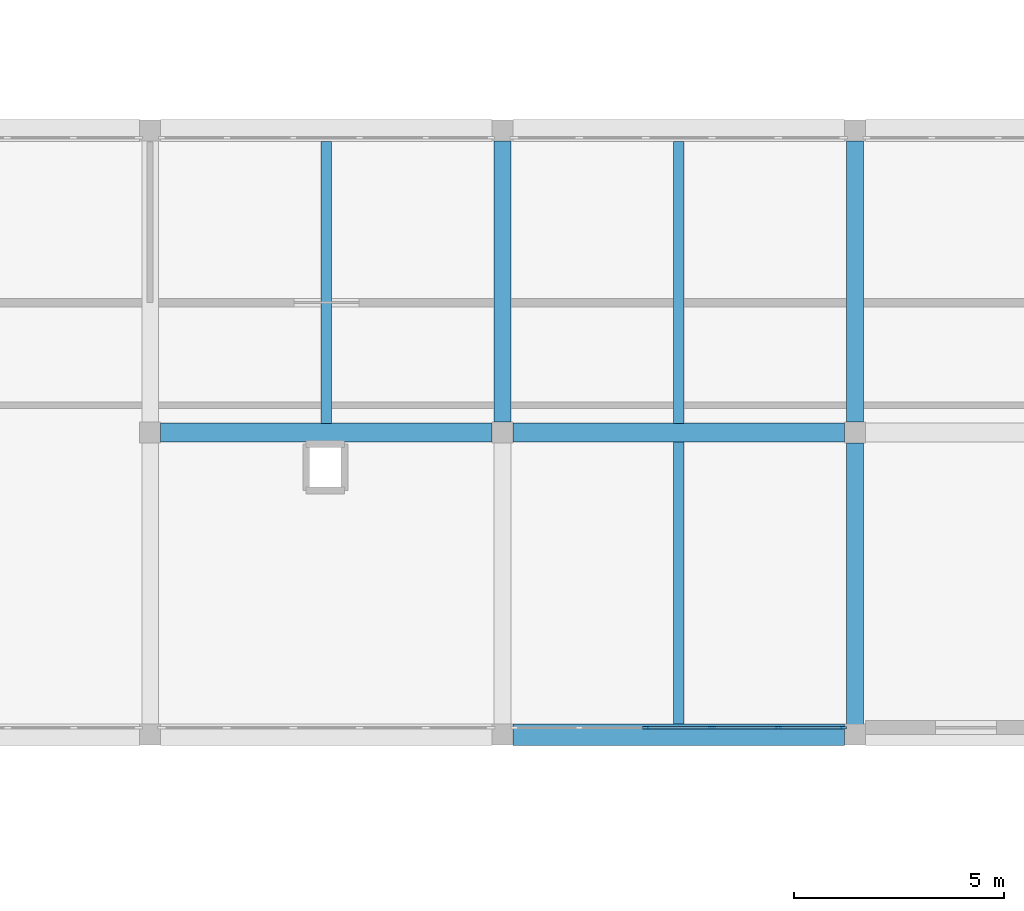
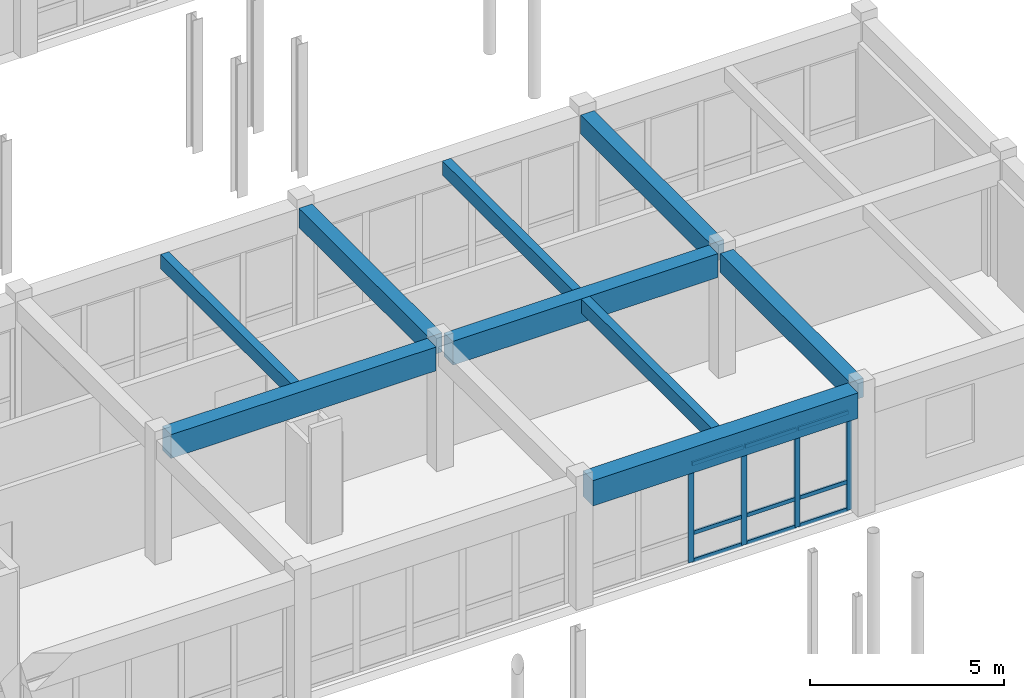
# One storey, part 52 of 147: 13 members, 9 beams, 1 element without a shape of its own.
"""IFC4 building model written with IfcOpenShell, lengths in metres."""

import ifcopenshell
import ifcopenshell.guid

model = None  # the IFC model being written
_history = None  # IfcOwnerHistory: only IFC2X3 demands one
_inside = {}  # id of a spatial element -> (the spatial element, [elements in it])
_under = {}  # id of a project, library or spatial element -> (it, [spatial elements below it])
_declared = {}  # id of a project -> (the project, [libraries it declares])
_typed = {}  # id of a type object -> (the type object, [elements of that type])
_made_of = {}  # id of a material, layer set ... -> (it, [elements and type objects made of it])


def new_model(schema):
    """Start an empty IFC model of exactly this schema.

    Asked for "IFC4X3", IfcOpenShell would pick the latest addendum, in which some entities
    have other attributes; the version numbers below select the first issue.
    IFC2X3 requires an IfcOwnerHistory on every rooted entity: one is made here for all.
    """
    global model, _history
    if schema == "IFC4X3":
        model = ifcopenshell.file(schema_version=(4, 3, 0, 0))
    else:
        model = ifcopenshell.file(schema=schema)
    _inside.clear()
    _under.clear()
    _declared.clear()
    _typed.clear()
    _made_of.clear()
    _history = None
    if model.schema == "IFC2X3":
        org = make("IfcOrganization", Name="unknown")
        user = make(
            "IfcPersonAndOrganization",
            ThePerson=make("IfcPerson", FamilyName="unknown"),
            TheOrganization=org,
        )
        app = make(
            "IfcApplication",
            ApplicationDeveloper=org,
            Version="unknown",
            ApplicationFullName="unknown",
            ApplicationIdentifier="unknown",
        )
        _history = make(
            "IfcOwnerHistory",
            OwningUser=user,
            OwningApplication=app,
            ChangeAction="ADDED",
            CreationDate=0,
        )
    return model


def make(cls, **values):
    """One entity of the class cls with the attributes given. An attribute that is None is left unset."""
    return model.create_entity(
        cls, **{name: value for name, value in values.items() if value is not None}
    )


def rooted(cls, **values):
    """An entity with a GlobalId (a new one), such as an element, a storey or a relation."""
    return make(cls, GlobalId=ifcopenshell.guid.new(), OwnerHistory=_history, **values)


def si_unit(unit_type, name, prefix=None):
    """IfcSIUnit, for example si_unit("LENGTHUNIT", "METRE", prefix="MILLI")."""
    return make("IfcSIUnit", UnitType=unit_type, Prefix=prefix, Name=name)


def assignment(units):
    """IfcUnitAssignment: the units of a project."""
    return None if units is None else make("IfcUnitAssignment", Units=units)


def point(xyz):
    """IfcCartesianPoint."""
    return None if xyz is None else make("IfcCartesianPoint", Coordinates=xyz)


def direction(xyz):
    """IfcDirection."""
    return None if xyz is None else make("IfcDirection", DirectionRatios=xyz)


def frame(location, z_axis=None, x_axis=None):
    """IfcAxis2Placement3D, a coordinate frame: its origin and axes. An axis left out is left unset."""
    return make(
        "IfcAxis2Placement3D",
        Location=point(location),
        Axis=direction(z_axis),
        RefDirection=direction(x_axis),
    )


def frame_2d(location, x_axis=None):
    """IfcAxis2Placement2D, a coordinate frame in the plane: its origin and x axis."""
    return make(
        "IfcAxis2Placement2D", Location=point(location), RefDirection=direction(x_axis)
    )


def origin():
    """The frame at (0, 0, 0) with its axes left unset."""
    return frame((0.0, 0.0, 0.0))


def origin_2d():
    """The frame at (0, 0) in the plane with its x axis left unset."""
    return frame_2d((0.0, 0.0))


def place(relative_to, where):
    """IfcLocalPlacement: puts the frame where relative to a parent placement (None: the world)."""
    return make(
        "IfcLocalPlacement", PlacementRelTo=relative_to, RelativePlacement=where
    )


def context(
    kind, dimensions, precision=None, world=None, true_north=None, identifier=None
):
    """IfcGeometricRepresentationContext, for example the 3D "Model" context."""
    return make(
        "IfcGeometricRepresentationContext",
        ContextIdentifier=identifier,
        ContextType=kind,
        CoordinateSpaceDimension=dimensions,
        Precision=precision,
        WorldCoordinateSystem=world,
        TrueNorth=true_north,
    )


def subcontext(parent, identifier, kind, view, scale=None):
    """IfcGeometricRepresentationSubContext, for example "Body" below "Model"."""
    return make(
        "IfcGeometricRepresentationSubContext",
        ContextIdentifier=identifier,
        ContextType=kind,
        ParentContext=parent,
        TargetScale=scale,
        TargetView=view,
    )


def project(units=None, contexts=None):
    """IfcProject with its units and contexts."""
    return rooted(
        "IfcProject",
        Name="project",
        RepresentationContexts=contexts,
        UnitsInContext=assignment(units),
    )


def spatial(cls, under=None, at=None, **own):
    """A site, building, storey or space (cls), placed at a placement, below another one or the project."""
    s = rooted(cls, ObjectPlacement=at, **own)
    if under is not None:
        _under.setdefault(under.id(), (under, []))[1].append(s)
    return s


def profile(cls, at=None, kind="AREA", **sizes):
    """A parametric profile (cls). Its sizes go by their IFC names, for example OverallWidth=200.0."""
    return make(cls, ProfileType=kind, Position=at, **sizes)


def rectangle(**sizes):
    """IfcRectangleProfileDef."""
    return profile("IfcRectangleProfileDef", **sizes)


def extrude(swept, where, along, depth):
    """IfcExtrudedAreaSolid: the profile swept, set in the frame where, extruded along a direction by depth."""
    return make(
        "IfcExtrudedAreaSolid",
        SweptArea=swept,
        Position=where,
        ExtrudedDirection=direction(along),
        Depth=depth,
    )


def shape(context_of_items, identifier, shape_type, items):
    """IfcShapeRepresentation: the items that make up one representation, for example the "Body"."""
    return make(
        "IfcShapeRepresentation",
        ContextOfItems=context_of_items,
        RepresentationIdentifier=identifier,
        RepresentationType=shape_type,
        Items=items,
    )


def material(Name=None, Category=None):
    """IfcMaterial."""
    return make("IfcMaterial", Name=Name, Category=Category)


def material_profile(
    of_material, cross_section, Name=None, Category=None, Priority=None
):
    """IfcMaterialProfile: a cross section and its material."""
    return make(
        "IfcMaterialProfile",
        Name=Name,
        Material=of_material,
        Profile=cross_section,
        Priority=Priority,
        Category=Category,
    )


def profile_set(profiles, Name=None, composite=None):
    """IfcMaterialProfileSet."""
    return make(
        "IfcMaterialProfileSet",
        Name=Name,
        MaterialProfiles=profiles,
        CompositeProfile=composite,
    )


def made_of(thing, what):
    """Note that an element or type object is made of a material, layer set ...; save() writes the relation."""
    if what is not None:
        _made_of.setdefault(what.id(), (what, []))[1].append(thing)
    return thing


def type_object(cls, material=None, **own):
    """A type object (cls), such as IfcWallType, which elements share."""
    return made_of(rooted(cls, **own), material)


def element(
    cls,
    number,
    at=None,
    inside=None,
    cuts=None,
    type_object=None,
    material=None,
    context=None,
    identifier="Body",
    shape_type=None,
    held_by="IfcProductDefinitionShape",
    body=None,
    shapes=None,
    **own,
):
    """One element of the class cls, such as IfcWall. Its Tag is "e" and its number.

    at: its placement. inside: the storey or other place that contains it. cuts: it is an
    opening in that element (IfcRelVoidsElement). A single representation is given by context,
    identifier, shape_type and body (its items); several are given by shapes. held_by: the class
    of the entity that holds the representations. save() writes the other relations.
    """
    e = rooted(cls, Tag="e%d" % number, ObjectPlacement=at, **own)
    if body is not None:
        shapes = [shape(context, identifier, shape_type, body)]
    if shapes is not None:
        e.Representation = make(held_by, Representations=shapes)
    if inside is not None:
        _inside.setdefault(inside.id(), (inside, []))[1].append(e)
    if cuts is not None:
        rooted(
            "IfcRelVoidsElement", RelatingBuildingElement=cuts, RelatedOpeningElement=e
        )
    if type_object is not None:
        _typed.setdefault(type_object.id(), (type_object, []))[1].append(e)
    return made_of(e, material)


def aggregate(whole, parts):
    """IfcRelAggregates: a whole, such as a stair, and the parts it consists of."""
    return rooted("IfcRelAggregates", RelatingObject=whole, RelatedObjects=parts)


def save(model, path):
    """Write the relations noted so far, then the file.

    IfcRelAggregates (storeys below a building ...), IfcRelContainedInSpatialStructure (elements
    in a storey), IfcRelDefinesByType, IfcRelAssociatesMaterial and IfcRelDeclares: one each for
    every whole, place, type object, material and project.
    """
    for whole, parts in _under.values():
        aggregate(whole, parts)
    for where, things in _inside.values():
        rooted(
            "IfcRelContainedInSpatialStructure",
            RelatedElements=things,
            RelatingStructure=where,
        )
    for kind, things in _typed.values():
        rooted("IfcRelDefinesByType", RelatedObjects=things, RelatingType=kind)
    for what, things in _made_of.values():
        rooted("IfcRelAssociatesMaterial", RelatedObjects=things, RelatingMaterial=what)
    for by, libraries in _declared.values():
        rooted("IfcRelDeclares", RelatingContext=by, RelatedDefinitions=libraries)
    model.write(path)


model = new_model("IFC4")

# Units and contexts
model_context = context("Model", 3, precision=1e-05, world=origin(), true_north=direction((0.0, 1.0)))
body_context = subcontext(model_context, "Body", "Model", "MODEL_VIEW")
ifc_project = project(units=[si_unit("LENGTHUNIT", "METRE"), si_unit("AREAUNIT", "SQUARE_METRE"), si_unit("VOLUMEUNIT", "CUBIC_METRE"), si_unit("PLANEANGLEUNIT", "RADIAN"), si_unit("MASSUNIT", "GRAM", prefix="KILO")], contexts=[model_context])

# Site, building, storey
site_placement = place(None, origin())
site = spatial("IfcSite", under=ifc_project, at=site_placement, CompositionType="ELEMENT")
building_placement = place(site_placement, origin())
building = spatial("IfcBuilding", under=site, at=building_placement, Name="Malvenik Polytechnic", CompositionType="ELEMENT")
storey_placement = place(building_placement, frame((0.0, 0.0, 5.10009765625)))
storey = spatial("IfcBuildingStorey", under=building, at=storey_placement, Name="L01", CompositionType="ELEMENT", Elevation=5.10009765625)

# Curtain wall, members
ifc_material_1 = material(Name="Anodised aluminium 6060-T6", Category="aluminium")
curtain_wall_type = type_object("IfcCurtainWallType", Name="ARC-CW-CW-02", PredefinedType="NOTDEFINED", material=ifc_material_1)
curtain_wall_placement = place(storey_placement, origin())
curtain_wall = element("IfcCurtainWall", 1, at=curtain_wall_placement, inside=storey, type_object=curtain_wall_type, Name="Unitised Curtain Wall CW-02 L01 #89", PredefinedType="NOTDEFINED")
ifc_material_2 = material(Name="Anodised aluminium", Category="aluminium")
ifc_material_profile_1 = material_profile(ifc_material_2, rectangle(XDim=0.06005859375, YDim=0.159912109375, at=origin_2d()), Name="ALU MULLION 60x160")
ifc_profile_set_1 = profile_set([ifc_material_profile_1], Name="Anodised aluminium")
member_type_1 = type_object("IfcMemberType", Name="ARC-CWM-160", PredefinedType="MULLION", material=ifc_profile_set_1)
member_1_placement = place(storey_placement, frame((125.721923828125, 50.570068359375, 0.0), z_axis=(0.0, 0.0, 1.0), x_axis=(0.0, -1.0, 0.0)))
member_1 = element("IfcMember", 2, at=member_1_placement, type_object=member_type_1, Name="CW-02 mullion 1", PredefinedType="MULLION", context=body_context, shape_type="SweptSolid", body=[
    extrude(rectangle(XDim=0.06005859375, YDim=0.159912109375, at=origin_2d()), origin(), (0.0, 0.0, 1.0), 3.10986328125),
])
member_2_placement = place(storey_placement, frame((124.171142578125, 50.570068359375, 0.0), z_axis=(0.0, 0.0, 1.0), x_axis=(0.0, -1.0, 0.0)))
member_2 = element("IfcMember", 3, at=member_2_placement, type_object=member_type_1, Name="CW-02 mullion 2", PredefinedType="MULLION", context=body_context, shape_type="SweptSolid", body=[
    extrude(rectangle(XDim=0.06005859375, YDim=0.159912109375, at=origin_2d()), origin(), (0.0, 0.0, 1.0), 3.10986328125),
])
member_3_placement = place(storey_placement, frame((122.59033203125, 50.570068359375, 0.0), z_axis=(0.0, 0.0, 1.0), x_axis=(0.0, -1.0, 0.0)))
member_3 = element("IfcMember", 4, at=member_3_placement, type_object=member_type_1, Name="CW-02 mullion 3", PredefinedType="MULLION", context=body_context, shape_type="SweptSolid", body=[
    extrude(rectangle(XDim=0.06005859375, YDim=0.159912109375, at=origin_2d()), origin(), (0.0, 0.0, 1.0), 3.10986328125),
])
member_4_placement = place(storey_placement, frame((121.009521484375, 50.570068359375, 0.0), z_axis=(0.0, 0.0, 1.0), x_axis=(0.0, -1.0, 0.0)))
member_4 = element("IfcMember", 5, at=member_4_placement, type_object=member_type_1, Name="CW-02 mullion 4", PredefinedType="MULLION", context=body_context, shape_type="SweptSolid", body=[
    extrude(rectangle(XDim=0.06005859375, YDim=0.159912109375, at=origin_2d()), origin(), (0.0, 0.0, 1.0), 3.10986328125),
])
ifc_material_profile_2 = material_profile(ifc_material_2, rectangle(XDim=0.06005859375, YDim=0.1201171875, at=origin_2d()), Name="ALU TRANSOM 60x120")
ifc_profile_set_2 = profile_set([ifc_material_profile_2], Name="Anodised aluminium")
member_type_2 = type_object("IfcMemberType", Name="ARC-CWT-120", PredefinedType="USERDEFINED", material=ifc_profile_set_2)
member_5_placement = place(storey_placement, frame((125.69189453125, 50.570068359375, 0.02978515625), z_axis=(-1.0, 0.0, 0.0), x_axis=(0.0, -1.0, 0.0)))
member_5 = element("IfcMember", 6, at=member_5_placement, type_object=member_type_2, Name="CW-02 transom 1.1", ObjectType="TRANSOM", PredefinedType="USERDEFINED", context=body_context, shape_type="SweptSolid", body=[
    extrude(rectangle(XDim=0.06005859375, YDim=0.1201171875, at=origin_2d()), origin(), (0.0, 0.0, 1.0), 1.49072265625),
])
member_6_placement = place(storey_placement, frame((125.69189453125, 50.570068359375, 0.89990234375), z_axis=(-1.0, 0.0, 0.0), x_axis=(0.0, -1.0, 0.0)))
member_6 = element("IfcMember", 7, at=member_6_placement, type_object=member_type_2, Name="CW-02 transom 1.2", ObjectType="TRANSOM", PredefinedType="USERDEFINED", context=body_context, shape_type="SweptSolid", body=[
    extrude(rectangle(XDim=0.06005859375, YDim=0.1201171875, at=origin_2d()), origin(), (0.0, 0.0, 1.0), 1.49072265625),
])
member_7_placement = place(storey_placement, frame((125.69189453125, 50.570068359375, 3.079833984375), z_axis=(-1.0, 0.0, 0.0), x_axis=(0.0, -1.0, 0.0)))
member_7 = element("IfcMember", 8, at=member_7_placement, type_object=member_type_2, Name="CW-02 transom 1.3", ObjectType="TRANSOM", PredefinedType="USERDEFINED", context=body_context, shape_type="SweptSolid", body=[
    extrude(rectangle(XDim=0.06005859375, YDim=0.1201171875, at=origin_2d()), origin(), (0.0, 0.0, 1.0), 1.49072265625),
])
member_8_placement = place(storey_placement, frame((124.14111328125, 50.570068359375, 0.02978515625), z_axis=(-1.0, 0.0, 0.0), x_axis=(0.0, -1.0, 0.0)))
member_8 = element("IfcMember", 9, at=member_8_placement, type_object=member_type_2, Name="CW-02 transom 2.1", ObjectType="TRANSOM", PredefinedType="USERDEFINED", context=body_context, shape_type="SweptSolid", body=[
    extrude(rectangle(XDim=0.06005859375, YDim=0.1201171875, at=origin_2d()), origin(), (0.0, 0.0, 1.0), 1.520751953125),
])
member_9_placement = place(storey_placement, frame((124.14111328125, 50.570068359375, 0.89990234375), z_axis=(-1.0, 0.0, 0.0), x_axis=(0.0, -1.0, 0.0)))
member_9 = element("IfcMember", 10, at=member_9_placement, type_object=member_type_2, Name="CW-02 transom 2.2", ObjectType="TRANSOM", PredefinedType="USERDEFINED", context=body_context, shape_type="SweptSolid", body=[
    extrude(rectangle(XDim=0.06005859375, YDim=0.1201171875, at=origin_2d()), origin(), (0.0, 0.0, 1.0), 1.520751953125),
])
member_10_placement = place(storey_placement, frame((124.14111328125, 50.570068359375, 3.079833984375), z_axis=(-1.0, 0.0, 0.0), x_axis=(0.0, -1.0, 0.0)))
member_10 = element("IfcMember", 11, at=member_10_placement, type_object=member_type_2, Name="CW-02 transom 2.3", ObjectType="TRANSOM", PredefinedType="USERDEFINED", context=body_context, shape_type="SweptSolid", body=[
    extrude(rectangle(XDim=0.06005859375, YDim=0.1201171875, at=origin_2d()), origin(), (0.0, 0.0, 1.0), 1.520751953125),
])
member_11_placement = place(storey_placement, frame((122.560302734375, 50.570068359375, 0.02978515625), z_axis=(-1.0, 0.0, 0.0), x_axis=(0.0, -1.0, 0.0)))
member_11 = element("IfcMember", 12, at=member_11_placement, type_object=member_type_2, Name="CW-02 transom 3.1", ObjectType="TRANSOM", PredefinedType="USERDEFINED", context=body_context, shape_type="SweptSolid", body=[
    extrude(rectangle(XDim=0.06005859375, YDim=0.1201171875, at=origin_2d()), origin(), (0.0, 0.0, 1.0), 1.520751953125),
])
member_12_placement = place(storey_placement, frame((122.560302734375, 50.570068359375, 0.89990234375), z_axis=(-1.0, 0.0, 0.0), x_axis=(0.0, -1.0, 0.0)))
member_12 = element("IfcMember", 13, at=member_12_placement, type_object=member_type_2, Name="CW-02 transom 3.2", ObjectType="TRANSOM", PredefinedType="USERDEFINED", context=body_context, shape_type="SweptSolid", body=[
    extrude(rectangle(XDim=0.06005859375, YDim=0.1201171875, at=origin_2d()), origin(), (0.0, 0.0, 1.0), 1.520751953125),
])
member_13_placement = place(storey_placement, frame((122.560302734375, 50.570068359375, 3.079833984375), z_axis=(-1.0, 0.0, 0.0), x_axis=(0.0, -1.0, 0.0)))
member_13 = element("IfcMember", 14, at=member_13_placement, type_object=member_type_2, Name="CW-02 transom 3.3", ObjectType="TRANSOM", PredefinedType="USERDEFINED", context=body_context, shape_type="SweptSolid", body=[
    extrude(rectangle(XDim=0.06005859375, YDim=0.1201171875, at=origin_2d()), origin(), (0.0, 0.0, 1.0), 1.520751953125),
])
aggregate(curtain_wall, [member_1, member_2, member_3, member_4, member_5, member_6, member_7, member_8, member_9, member_10, member_11, member_12, member_13])

# Beams
ifc_material_3 = material(Name="Concrete C35/45", Category="concrete")
ifc_material_profile_3 = material_profile(ifc_material_3, rectangle(XDim=0.449951171875, YDim=0.75, at=origin_2d()), Name="RC BM 450x750")
ifc_profile_set_3 = profile_set([ifc_material_profile_3], Name="Concrete C35/45")
beam_type_1 = type_object("IfcBeamType", Name="STR-BM-B-03", PredefinedType="BEAM", material=ifc_profile_set_3)
for number, where, z_axis, x_axis, name in (
    (15, (109.447998046875, 57.60009765625, 3.544921875), (1.0, 0.0, 0.0), (0.0, 1.0, 0.0), "Primary Beam B-03 L01 #1023"),
    (16, (117.847900390625, 57.60009765625, 3.544921875), (1.0, 0.0, 0.0), (0.0, 1.0, 0.0), "Primary Beam B-03 L01 #1024"),
):
    element("IfcBeam", number, at=place(storey_placement, frame(where, z_axis=z_axis, x_axis=x_axis)), inside=storey, type_object=beam_type_1, Name=name, PredefinedType="BEAM", context=body_context, shape_type="SweptSolid", body=[
        extrude(rectangle(XDim=0.449951171875, YDim=0.75, at=origin_2d()), origin(), (0.0, 0.0, 1.0), 7.904052734375),
    ])
ifc_material_profile_4 = material_profile(ifc_material_3, rectangle(XDim=0.39990234375, YDim=0.60009765625, at=origin_2d()), Name="RC BM 400x600")
ifc_profile_set_4 = profile_set([ifc_material_profile_4], Name="Concrete C35/45")
beam_type_2 = type_object("IfcBeamType", Name="STR-BM-B-06", PredefinedType="BEAM", material=ifc_profile_set_4)
for number, where, z_axis, x_axis, name in (
    (17, (117.60009765625, 57.847900390625, 3.619873046875), (0.0, 1.0, 0.0), (-1.0, 0.0, 0.0), "Transverse Beam B-06 L01 #1223"),
    (18, (126.0, 50.64794921875, 3.619873046875), (0.0, 1.0, 0.0), (-1.0, 0.0, 0.0), "Transverse Beam B-06 L01 #1233"),
    (19, (126.0, 57.847900390625, 3.619873046875), (0.0, 1.0, 0.0), (-1.0, 0.0, 0.0), "Transverse Beam B-06 L01 #1234"),
):
    element("IfcBeam", number, at=place(storey_placement, frame(where, z_axis=z_axis, x_axis=x_axis)), inside=storey, type_object=beam_type_2, Name=name, PredefinedType="BEAM", context=body_context, shape_type="SweptSolid", body=[
        extrude(rectangle(XDim=0.39990234375, YDim=0.60009765625, at=origin_2d()), origin(), (0.0, 0.0, 1.0), 6.7041015625),
    ])
ifc_material_4 = material(Name="Concrete C30/37", Category="concrete")
ifc_material_profile_5 = material_profile(ifc_material_4, rectangle(XDim=0.25, YDim=0.449951171875, at=origin_2d()), Name="RC JST 250x450")
ifc_profile_set_5 = profile_set([ifc_material_profile_5], Name="Concrete C30/37")
beam_type_3 = type_object("IfcBeamType", Name="STR-BM-J-02", PredefinedType="JOIST", material=ifc_profile_set_5)
for number, where, z_axis, x_axis, name in (
    (20, (113.39990234375, 57.822998046875, 3.69482421875), (0.0, 1.0, 0.0), (-1.0, 0.0, 0.0), "Secondary Rib Joist J-02 L01 #1306"),
    (21, (121.800048828125, 50.657958984375, 3.69482421875), (0.0, 1.0, 0.0), (-1.0, 0.0, 0.0), "Secondary Rib Joist J-02 L01 #1314"),
    (22, (121.800048828125, 57.822998046875, 3.69482421875), (0.0, 1.0, 0.0), (-1.0, 0.0, 0.0), "Secondary Rib Joist J-02 L01 #1315"),
):
    element("IfcBeam", number, at=place(storey_placement, frame(where, z_axis=z_axis, x_axis=x_axis)), inside=storey, type_object=beam_type_3, Name=name, PredefinedType="JOIST", context=body_context, shape_type="SweptSolid", body=[
        extrude(rectangle(XDim=0.25, YDim=0.449951171875, at=origin_2d()), origin(), (0.0, 0.0, 1.0), 6.718994140625),
    ])
ifc_material_5 = material(Name="Precast concrete C40/50", Category="concrete")
ifc_material_profile_6 = material_profile(ifc_material_5, rectangle(XDim=0.52001953125, YDim=0.800048828125, at=origin_2d()), Name="PC SPN 520x800")
ifc_profile_set_6 = profile_set([ifc_material_profile_6], Name="Precast concrete C40/50")
beam_type_4 = type_object("IfcBeamType", Name="STR-BM-SP-01", PredefinedType="SPANDREL", material=ifc_profile_set_6)
beam_placement = place(storey_placement, frame((117.847900390625, 50.39990234375, 3.52001953125), z_axis=(1.0, 0.0, 0.0), x_axis=(0.0, 1.0, 0.0)))
element("IfcBeam", 23, at=beam_placement, inside=storey, type_object=beam_type_4, Name="Primary Beam SP-01 L01 #1013", PredefinedType="SPANDREL", context=body_context, shape_type="SweptSolid", body=[
    extrude(rectangle(XDim=0.52001953125, YDim=0.800048828125, at=origin_2d()), origin(), (0.0, 0.0, 1.0), 7.904052734375),
])

save(model, "model.ifc")
